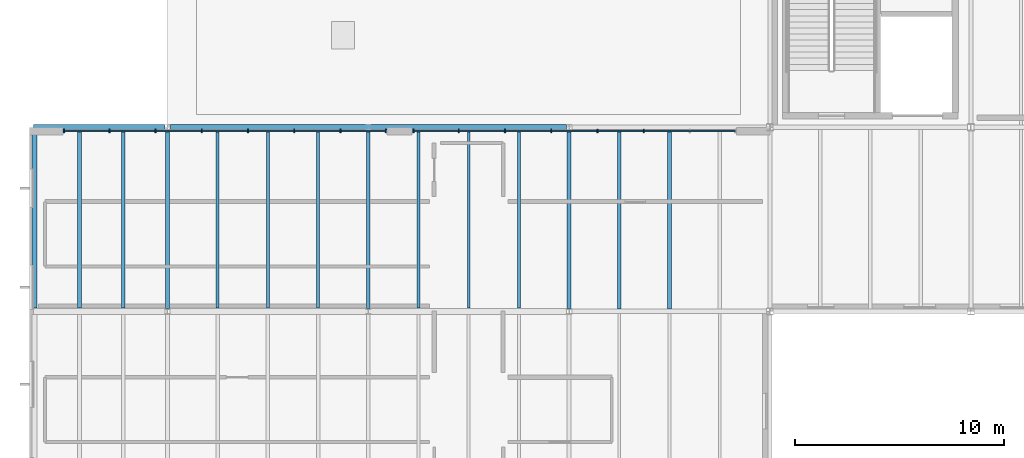
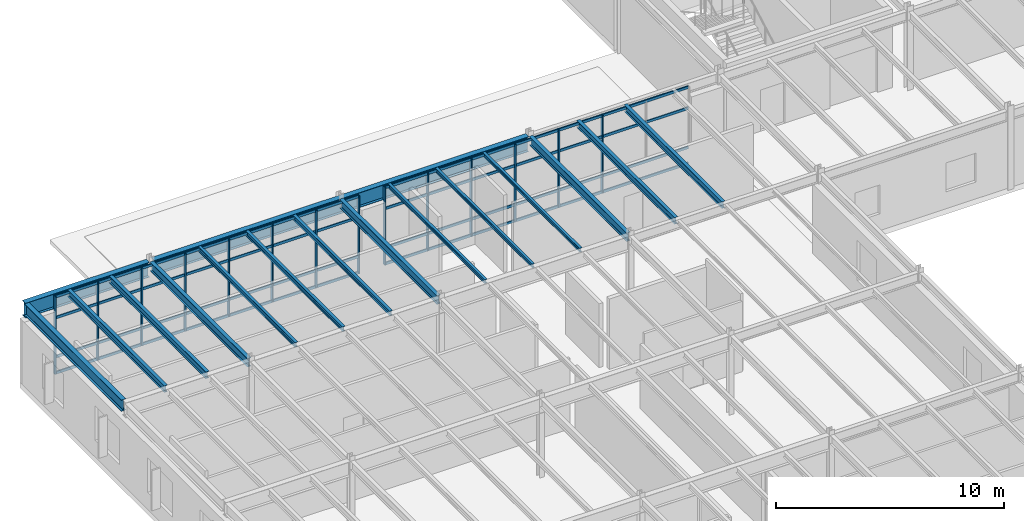
# One storey, part 24 of 69: 22 members, 16 beams, 2 elements without a shape of their own.
"""IFC4 building model written with IfcOpenShell, lengths in metres."""

from ifc_helpers import new_model, si_unit, direction, frame, origin, origin_2d, place, context, subcontext, project, spatial, rectangle, i_section, extrude, material, material_profile, profile_set, type_object, element, aggregate, save


model = new_model("IFC4")

# Units and contexts
model_context = context("Model", 3, precision=1e-05, world=origin(), true_north=direction((0.0, 1.0)))
body_context = subcontext(model_context, "Body", "Model", "MODEL_VIEW")
ifc_project = project(units=[si_unit("LENGTHUNIT", "METRE"), si_unit("AREAUNIT", "SQUARE_METRE"), si_unit("VOLUMEUNIT", "CUBIC_METRE"), si_unit("PLANEANGLEUNIT", "RADIAN"), si_unit("MASSUNIT", "GRAM", prefix="KILO")], contexts=[model_context])

# Site, building, storey
site_placement = place(None, origin())
site = spatial("IfcSite", under=ifc_project, at=site_placement, CompositionType="ELEMENT")
building_placement = place(site_placement, origin())
building = spatial("IfcBuilding", under=site, at=building_placement, Name="Sarnbrook Museum", CompositionType="ELEMENT")
storey_placement = place(building_placement, frame((0.0, 0.0, 14.60009765625)))
storey = spatial("IfcBuildingStorey", under=building, at=storey_placement, Name="L03", CompositionType="ELEMENT", Elevation=14.60009765625)

# Beams
ifc_material_1 = material(Name="Structural Steel Grade 300PLUS (AS/NZS 3679.1, fy = 280 MPa for 17 < t <= 40 mm, 300 MPa for t <= 17 mm)", Category="steel")
ifc_material_profile_1 = material_profile(ifc_material_1, i_section(OverallWidth=0.18994140625, OverallDepth=0.45703125, WebThickness=0.009033203125, FlangeThickness=0.014404296875, FilletRadius=0.011474609375, at=origin_2d()), Name="460UB74.6")
ifc_profile_set_1 = profile_set([ifc_material_profile_1], Name="Structural Steel Grade 300PLUS (AS/NZS 3679.1, fy = 280 MPa for 17 < t <= 40 mm, 300 MPa for t <= 17 mm)")
beam_type_1 = type_object("IfcBeamType", Name="BM-UB460", PredefinedType="BEAM", material=ifc_profile_set_1)
for number, where, z_axis, x_axis, name in (
    (1, (13.60009765625, 74.527099609375, 4.021484375), (0.0, 1.0, 0.0), (-1.0, 0.0, 0.0), "Girder 2:J-K L03"),
    (2, (23.199951171875, 74.527099609375, 4.021484375), (0.0, 1.0, 0.0), (-1.0, 0.0, 0.0), "Girder 3:J-K L03"),
    (3, (32.800048828125, 74.527099609375, 4.021484375), (0.0, 1.0, 0.0), (-1.0, 0.0, 0.0), "Girder 4:J-K L03"),
):
    element("IfcBeam", number, at=place(storey_placement, frame(where, z_axis=z_axis, x_axis=x_axis)), inside=storey, type_object=beam_type_1, Name=name, PredefinedType="BEAM", context=body_context, shape_type="SweptSolid", body=[
        extrude(i_section(OverallWidth=0.18994140625, OverallDepth=0.45703125, WebThickness=0.009033203125, FlangeThickness=0.014404296875, FilletRadius=0.011474609375, at=origin_2d()), origin(), (0.0, 0.0, 1.0), 8.5458984375),
    ])
ifc_material_profile_2 = material_profile(ifc_material_1, i_section(OverallWidth=0.22802734375, OverallDepth=0.60693359375, WebThickness=0.01123046875, FlangeThickness=0.017333984375, FilletRadius=0.013916015625, at=origin_2d()), Name="610UB113")
ifc_profile_set_2 = profile_set([ifc_material_profile_2], Name="Structural Steel Grade 300PLUS (AS/NZS 3679.1, fy = 280 MPa for 17 < t <= 40 mm, 300 MPa for t <= 17 mm)")
beam_type_2 = type_object("IfcBeamType", Name="BM-UB610", PredefinedType="BEAM", material=ifc_profile_set_2)
beam_1_placement = place(storey_placement, frame((7.25, 74.550048828125, 3.9462890625), z_axis=(0.0, 1.0, 0.0), x_axis=(-1.0, 0.0, 0.0)))
element("IfcBeam", 4, at=beam_1_placement, inside=storey, type_object=beam_type_2, Name="Cantilever Gallery Joist L03 X=7.25", PredefinedType="BEAM", context=body_context, shape_type="SweptSolid", body=[
    extrude(i_section(OverallWidth=0.22802734375, OverallDepth=0.60693359375, WebThickness=0.01123046875, FlangeThickness=0.017333984375, FilletRadius=0.013916015625, at=origin_2d()), origin(), (0.0, 0.0, 1.0), 8.5),
])
ifc_material_2 = material(Name="Structural Steel Grade 350L0 (AS/NZS 3678, fy = 340 MPa for 20 < t <= 40 mm)", Category="steel")
ifc_material_profile_3 = material_profile(ifc_material_2, i_section(OverallWidth=0.27490234375, OverallDepth=0.800048828125, WebThickness=0.010009765625, FlangeThickness=0.01611328125, at=origin_2d()), Name="800WB146")
ifc_profile_set_3 = profile_set([ifc_material_profile_3], Name="Structural Steel Grade 350L0 (AS/NZS 3678, fy = 340 MPa for 20 < t <= 40 mm)")
beam_type_3 = type_object("IfcBeamType", Name="CR-CANT", PredefinedType="BEAM", material=ifc_profile_set_3)
beam_2_placement = place(storey_placement, frame((32.679931640625, 83.199951171875, 3.849853515625), z_axis=(-1.0, 0.0, 0.0), x_axis=(0.0, -1.0, 0.0)))
element("IfcBeam", 5, at=beam_2_placement, inside=storey, type_object=beam_type_3, Name="Cantilever Roof Girder TT4 Back-Span L03", PredefinedType="BEAM", context=body_context, shape_type="SweptSolid", body=[
    extrude(i_section(OverallWidth=0.27490234375, OverallDepth=0.800048828125, WebThickness=0.010009765625, FlangeThickness=0.01611328125, at=origin_2d()), origin(), (0.0, 0.0, 1.0), 18.9599609375),
])
beam_3_placement = place(storey_placement, frame((13.47998046875, 83.199951171875, 3.849853515625), z_axis=(-1.0, 0.0, 0.0), x_axis=(0.0, -1.0, 0.0)))
element("IfcBeam", 6, at=beam_3_placement, inside=storey, type_object=beam_type_3, Name="Cantilever Roof Girder TT4 Overhang L03", PredefinedType="BEAM", context=body_context, shape_type="SweptSolid", body=[
    extrude(i_section(OverallWidth=0.27490234375, OverallDepth=0.800048828125, WebThickness=0.010009765625, FlangeThickness=0.01611328125, at=origin_2d()), origin(), (0.0, 0.0, 1.0), 6.280029296875),
])

# Curtain wall, members
ifc_material_3 = material(Name="Thermally Broken Anodised Aluminium 6063-T6", Category="aluminium")
curtain_wall_type = type_object("IfcCurtainWallType", Name="CurtainWall_GalleryRibbon", PredefinedType="NOTDEFINED", material=ifc_material_3)
curtain_wall_1_placement = place(storey_placement, origin())
curtain_wall_1 = element("IfcCurtainWall", 7, at=curtain_wall_1_placement, inside=storey, type_object=curtain_wall_type, Name="Gallery Ribbon Curtain Wall L03-10.1", PredefinedType="NOTDEFINED")
ifc_material_profile_4 = material_profile(ifc_material_3, rectangle(XDim=0.06005859375, YDim=0.159912109375, at=origin_2d()), Name="ALU MULLION 60x160")
ifc_profile_set_4 = profile_set([ifc_material_profile_4], Name="Thermally Broken Anodised Aluminium 6063-T6")
member_type_1 = type_object("IfcMemberType", Name="CW_Mullion_150x65", PredefinedType="MULLION", material=ifc_profile_set_4)
member_1_placement = place(storey_placement, frame((36.36279296875, 83.02001953125, 0.0), z_axis=(0.0, 0.0, 1.0), x_axis=(1.0, 0.0, 0.0)))
member_1 = element("IfcMember", 8, at=member_1_placement, type_object=member_type_1, Name="Gallery Ribbon Curtain Wall L03-10.1 Mullion 3", PredefinedType="MULLION", context=body_context, shape_type="SweptSolid", body=[
    extrude(rectangle(XDim=0.06005859375, YDim=0.159912109375, at=origin_2d()), origin(), (0.0, 0.0, 1.0), 4.159912109375),
])
member_2_placement = place(storey_placement, frame((34.154296875, 83.02001953125, 0.0), z_axis=(0.0, 0.0, 1.0), x_axis=(1.0, 0.0, 0.0)))
member_2 = element("IfcMember", 9, at=member_2_placement, type_object=member_type_1, Name="Gallery Ribbon Curtain Wall L03-10.1 Mullion 4", PredefinedType="MULLION", context=body_context, shape_type="SweptSolid", body=[
    extrude(rectangle(XDim=0.06005859375, YDim=0.159912109375, at=origin_2d()), origin(), (0.0, 0.0, 1.0), 4.159912109375),
])
member_3_placement = place(storey_placement, frame((31.94580078125, 83.02001953125, 0.0), z_axis=(0.0, 0.0, 1.0), x_axis=(1.0, 0.0, 0.0)))
member_3 = element("IfcMember", 10, at=member_3_placement, type_object=member_type_1, Name="Gallery Ribbon Curtain Wall L03-10.1 Mullion 5", PredefinedType="MULLION", context=body_context, shape_type="SweptSolid", body=[
    extrude(rectangle(XDim=0.06005859375, YDim=0.159912109375, at=origin_2d()), origin(), (0.0, 0.0, 1.0), 4.159912109375),
])
member_4_placement = place(storey_placement, frame((29.737060546875, 83.02001953125, 0.0), z_axis=(0.0, 0.0, 1.0), x_axis=(1.0, 0.0, 0.0)))
member_4 = element("IfcMember", 11, at=member_4_placement, type_object=member_type_1, Name="Gallery Ribbon Curtain Wall L03-10.1 Mullion 6", PredefinedType="MULLION", context=body_context, shape_type="SweptSolid", body=[
    extrude(rectangle(XDim=0.06005859375, YDim=0.159912109375, at=origin_2d()), origin(), (0.0, 0.0, 1.0), 4.159912109375),
])
member_5_placement = place(storey_placement, frame((27.528564453125, 83.02001953125, 0.0), z_axis=(0.0, 0.0, 1.0), x_axis=(1.0, 0.0, 0.0)))
member_5 = element("IfcMember", 12, at=member_5_placement, type_object=member_type_1, Name="Gallery Ribbon Curtain Wall L03-10.1 Mullion 7", PredefinedType="MULLION", context=body_context, shape_type="SweptSolid", body=[
    extrude(rectangle(XDim=0.06005859375, YDim=0.159912109375, at=origin_2d()), origin(), (0.0, 0.0, 1.0), 4.159912109375),
])
member_6_placement = place(storey_placement, frame((25.360107421875, 83.02001953125, 0.0), z_axis=(0.0, 0.0, 1.0), x_axis=(1.0, 0.0, 0.0)))
member_6 = element("IfcMember", 13, at=member_6_placement, type_object=member_type_1, Name="Gallery Ribbon Curtain Wall L03-10.1 Mullion 8", PredefinedType="MULLION", context=body_context, shape_type="SweptSolid", body=[
    extrude(rectangle(XDim=0.06005859375, YDim=0.159912109375, at=origin_2d()), origin(), (0.0, 0.0, 1.0), 4.159912109375),
])

curtain_wall_2_placement = place(storey_placement, origin())
curtain_wall_2 = element("IfcCurtainWall", 14, at=curtain_wall_2_placement, inside=storey, type_object=curtain_wall_type, Name="Gallery Ribbon Curtain Wall L03-10.2", PredefinedType="NOTDEFINED")
member_7_placement = place(storey_placement, frame((24.0400390625, 83.02001953125, 0.0), z_axis=(0.0, 0.0, 1.0), x_axis=(1.0, 0.0, 0.0)))
member_7 = element("IfcMember", 15, at=member_7_placement, type_object=member_type_1, Name="Gallery Ribbon Curtain Wall L03-10.2 Mullion 1", PredefinedType="MULLION", context=body_context, shape_type="SweptSolid", body=[
    extrude(rectangle(XDim=0.06005859375, YDim=0.159912109375, at=origin_2d()), origin(), (0.0, 0.0, 1.0), 4.159912109375),
])
member_8_placement = place(storey_placement, frame((21.871337890625, 83.02001953125, 0.0), z_axis=(0.0, 0.0, 1.0), x_axis=(1.0, 0.0, 0.0)))
member_8 = element("IfcMember", 16, at=member_8_placement, type_object=member_type_1, Name="Gallery Ribbon Curtain Wall L03-10.2 Mullion 2", PredefinedType="MULLION", context=body_context, shape_type="SweptSolid", body=[
    extrude(rectangle(XDim=0.06005859375, YDim=0.159912109375, at=origin_2d()), origin(), (0.0, 0.0, 1.0), 4.159912109375),
])
member_9_placement = place(storey_placement, frame((19.662841796875, 83.02001953125, 0.0), z_axis=(0.0, 0.0, 1.0), x_axis=(1.0, 0.0, 0.0)))
member_9 = element("IfcMember", 17, at=member_9_placement, type_object=member_type_1, Name="Gallery Ribbon Curtain Wall L03-10.2 Mullion 3", PredefinedType="MULLION", context=body_context, shape_type="SweptSolid", body=[
    extrude(rectangle(XDim=0.06005859375, YDim=0.159912109375, at=origin_2d()), origin(), (0.0, 0.0, 1.0), 4.159912109375),
])
member_10_placement = place(storey_placement, frame((17.454345703125, 83.02001953125, 0.0), z_axis=(0.0, 0.0, 1.0), x_axis=(1.0, 0.0, 0.0)))
member_10 = element("IfcMember", 18, at=member_10_placement, type_object=member_type_1, Name="Gallery Ribbon Curtain Wall L03-10.2 Mullion 4", PredefinedType="MULLION", context=body_context, shape_type="SweptSolid", body=[
    extrude(rectangle(XDim=0.06005859375, YDim=0.159912109375, at=origin_2d()), origin(), (0.0, 0.0, 1.0), 4.159912109375),
])
member_11_placement = place(storey_placement, frame((15.24560546875, 83.02001953125, 0.0), z_axis=(0.0, 0.0, 1.0), x_axis=(1.0, 0.0, 0.0)))
member_11 = element("IfcMember", 19, at=member_11_placement, type_object=member_type_1, Name="Gallery Ribbon Curtain Wall L03-10.2 Mullion 5", PredefinedType="MULLION", context=body_context, shape_type="SweptSolid", body=[
    extrude(rectangle(XDim=0.06005859375, YDim=0.159912109375, at=origin_2d()), origin(), (0.0, 0.0, 1.0), 4.159912109375),
])
member_12_placement = place(storey_placement, frame((13.037109375, 83.02001953125, 0.0), z_axis=(0.0, 0.0, 1.0), x_axis=(1.0, 0.0, 0.0)))
member_12 = element("IfcMember", 20, at=member_12_placement, type_object=member_type_1, Name="Gallery Ribbon Curtain Wall L03-10.2 Mullion 6", PredefinedType="MULLION", context=body_context, shape_type="SweptSolid", body=[
    extrude(rectangle(XDim=0.06005859375, YDim=0.159912109375, at=origin_2d()), origin(), (0.0, 0.0, 1.0), 4.159912109375),
])
member_13_placement = place(storey_placement, frame((10.82861328125, 83.02001953125, 0.0), z_axis=(0.0, 0.0, 1.0), x_axis=(1.0, 0.0, 0.0)))
member_13 = element("IfcMember", 21, at=member_13_placement, type_object=member_type_1, Name="Gallery Ribbon Curtain Wall L03-10.2 Mullion 7", PredefinedType="MULLION", context=body_context, shape_type="SweptSolid", body=[
    extrude(rectangle(XDim=0.06005859375, YDim=0.159912109375, at=origin_2d()), origin(), (0.0, 0.0, 1.0), 4.159912109375),
])
member_14_placement = place(storey_placement, frame((8.659912109375, 83.02001953125, 0.0), z_axis=(0.0, 0.0, 1.0), x_axis=(1.0, 0.0, 0.0)))
member_14 = element("IfcMember", 22, at=member_14_placement, type_object=member_type_1, Name="Gallery Ribbon Curtain Wall L03-10.2 Mullion 8", PredefinedType="MULLION", context=body_context, shape_type="SweptSolid", body=[
    extrude(rectangle(XDim=0.06005859375, YDim=0.159912109375, at=origin_2d()), origin(), (0.0, 0.0, 1.0), 4.159912109375),
])

# Member
ifc_material_profile_5 = material_profile(ifc_material_3, rectangle(XDim=0.06494140625, YDim=0.139892578125, at=origin_2d()), Name="ALU TRANSOM 65x140")
ifc_profile_set_5 = profile_set([ifc_material_profile_5], Name="Thermally Broken Anodised Aluminium 6063-T6")
member_type_2 = type_object("IfcMemberType", Name="CW_Transom_150x65", PredefinedType="USERDEFINED", material=ifc_profile_set_5)
member_15_placement = place(storey_placement, frame((40.72998046875, 83.02001953125, 0.039794921875), z_axis=(-1.0, 0.0, 0.0), x_axis=(0.0, -1.0, 0.0)))
member_15 = element("IfcMember", 23, at=member_15_placement, type_object=member_type_2, Name="Gallery Ribbon Curtain Wall L03-10.1 Transom 1", ObjectType="TRANSOM", PredefinedType="USERDEFINED", context=body_context, shape_type="SweptSolid", body=[
    extrude(rectangle(XDim=0.06494140625, YDim=0.139892578125, at=origin_2d()), origin(), (0.0, 0.0, 1.0), 15.35986328125),
])

member_16_placement = place(storey_placement, frame((40.72998046875, 83.02001953125, 0.89990234375), z_axis=(-1.0, 0.0, 0.0), x_axis=(0.0, -1.0, 0.0)))
member_16 = element("IfcMember", 24, at=member_16_placement, type_object=member_type_2, Name="Gallery Ribbon Curtain Wall L03-10.1 Transom 2", ObjectType="TRANSOM", PredefinedType="USERDEFINED", context=body_context, shape_type="SweptSolid", body=[
    extrude(rectangle(XDim=0.06494140625, YDim=0.139892578125, at=origin_2d()), origin(), (0.0, 0.0, 1.0), 15.35986328125),
])

member_17_placement = place(storey_placement, frame((40.72998046875, 83.02001953125, 3.0), z_axis=(-1.0, 0.0, 0.0), x_axis=(0.0, -1.0, 0.0)))
member_17 = element("IfcMember", 25, at=member_17_placement, type_object=member_type_2, Name="Gallery Ribbon Curtain Wall L03-10.1 Transom 3", ObjectType="TRANSOM", PredefinedType="USERDEFINED", context=body_context, shape_type="SweptSolid", body=[
    extrude(rectangle(XDim=0.06494140625, YDim=0.139892578125, at=origin_2d()), origin(), (0.0, 0.0, 1.0), 15.35986328125),
])

member_18_placement = place(storey_placement, frame((40.72998046875, 83.02001953125, 4.119873046875), z_axis=(-1.0, 0.0, 0.0), x_axis=(0.0, -1.0, 0.0)))
member_18 = element("IfcMember", 26, at=member_18_placement, type_object=member_type_2, Name="Gallery Ribbon Curtain Wall L03-10.1 Transom 4", ObjectType="TRANSOM", PredefinedType="USERDEFINED", context=body_context, shape_type="SweptSolid", body=[
    extrude(rectangle(XDim=0.06494140625, YDim=0.139892578125, at=origin_2d()), origin(), (0.0, 0.0, 1.0), 15.35986328125),
])

aggregate(curtain_wall_1, [member_1, member_2, member_3, member_4, member_5, member_6, member_15, member_16, member_17, member_18])

member_19_placement = place(storey_placement, frame((24.030029296875, 83.02001953125, 0.039794921875), z_axis=(-1.0, 0.0, 0.0), x_axis=(0.0, -1.0, 0.0)))
member_19 = element("IfcMember", 27, at=member_19_placement, type_object=member_type_2, Name="Gallery Ribbon Curtain Wall L03-10.2 Transom 1", ObjectType="TRANSOM", PredefinedType="USERDEFINED", context=body_context, shape_type="SweptSolid", body=[
    extrude(rectangle(XDim=0.06494140625, YDim=0.139892578125, at=origin_2d()), origin(), (0.0, 0.0, 1.0), 15.360107421875),
])

member_20_placement = place(storey_placement, frame((24.030029296875, 83.02001953125, 0.89990234375), z_axis=(-1.0, 0.0, 0.0), x_axis=(0.0, -1.0, 0.0)))
member_20 = element("IfcMember", 28, at=member_20_placement, type_object=member_type_2, Name="Gallery Ribbon Curtain Wall L03-10.2 Transom 2", ObjectType="TRANSOM", PredefinedType="USERDEFINED", context=body_context, shape_type="SweptSolid", body=[
    extrude(rectangle(XDim=0.06494140625, YDim=0.139892578125, at=origin_2d()), origin(), (0.0, 0.0, 1.0), 15.360107421875),
])

member_21_placement = place(storey_placement, frame((24.030029296875, 83.02001953125, 3.0), z_axis=(-1.0, 0.0, 0.0), x_axis=(0.0, -1.0, 0.0)))
member_21 = element("IfcMember", 29, at=member_21_placement, type_object=member_type_2, Name="Gallery Ribbon Curtain Wall L03-10.2 Transom 3", ObjectType="TRANSOM", PredefinedType="USERDEFINED", context=body_context, shape_type="SweptSolid", body=[
    extrude(rectangle(XDim=0.06494140625, YDim=0.139892578125, at=origin_2d()), origin(), (0.0, 0.0, 1.0), 15.360107421875),
])

member_22_placement = place(storey_placement, frame((24.030029296875, 83.02001953125, 4.119873046875), z_axis=(-1.0, 0.0, 0.0), x_axis=(0.0, -1.0, 0.0)))
member_22 = element("IfcMember", 30, at=member_22_placement, type_object=member_type_2, Name="Gallery Ribbon Curtain Wall L03-10.2 Transom 4", ObjectType="TRANSOM", PredefinedType="USERDEFINED", context=body_context, shape_type="SweptSolid", body=[
    extrude(rectangle(XDim=0.06494140625, YDim=0.139892578125, at=origin_2d()), origin(), (0.0, 0.0, 1.0), 15.360107421875),
])

aggregate(curtain_wall_2, [member_7, member_8, member_9, member_10, member_11, member_12, member_13, member_14, member_19, member_20, member_21, member_22])

# Beams
ifc_material_profile_6 = material_profile(ifc_material_1, i_section(OverallWidth=0.134033203125, OverallDepth=0.20703125, WebThickness=0.00634765625, FlangeThickness=0.009521484375, FilletRadius=0.0087890625, at=origin_2d()), Name="200UB29.8")
ifc_profile_set_6 = profile_set([ifc_material_profile_6], Name="Structural Steel Grade 300PLUS (AS/NZS 3679.1, fy = 280 MPa for 17 < t <= 40 mm, 300 MPa for t <= 17 mm)")
beam_type_4 = type_object("IfcBeamType", Name="JS-UB200", PredefinedType="JOIST", material=ifc_profile_set_6)
for number, where, z_axis, x_axis, name in (
    (31, (25.60009765625, 74.550048828125, 4.146484375), (0.0, 1.0, 0.0), (-1.0, 0.0, 0.0), "Composite Floor Joist 3J-1 L03"),
    (32, (28.0, 74.550048828125, 4.146484375), (0.0, 1.0, 0.0), (-1.0, 0.0, 0.0), "Composite Floor Joist 3J-2 L03"),
    (33, (30.39990234375, 74.550048828125, 4.146484375), (0.0, 1.0, 0.0), (-1.0, 0.0, 0.0), "Composite Floor Joist 3J-3 L03"),
):
    element("IfcBeam", number, at=place(storey_placement, frame(where, z_axis=z_axis, x_axis=x_axis)), inside=storey, type_object=beam_type_4, Name=name, PredefinedType="JOIST", context=body_context, shape_type="SweptSolid", body=[
        extrude(i_section(OverallWidth=0.134033203125, OverallDepth=0.20703125, WebThickness=0.00634765625, FlangeThickness=0.009521484375, FilletRadius=0.0087890625, at=origin_2d()), origin(), (0.0, 0.0, 1.0), 8.5),
    ])
ifc_material_profile_7 = material_profile(ifc_material_1, i_section(OverallWidth=0.14599609375, OverallDepth=0.256103515625, WebThickness=0.00634765625, FlangeThickness=0.010986328125, FilletRadius=0.0087890625, at=origin_2d()), Name="250UB37.3")
ifc_profile_set_7 = profile_set([ifc_material_profile_7], Name="Structural Steel Grade 300PLUS (AS/NZS 3679.1, fy = 280 MPa for 17 < t <= 40 mm, 300 MPa for t <= 17 mm)")
beam_type_5 = type_object("IfcBeamType", Name="JS-UB250", PredefinedType="JOIST", material=ifc_profile_set_7)
for number, where, z_axis, x_axis, name in (
    (34, (16.0, 74.550048828125, 4.121826171875), (0.0, 1.0, 0.0), (-1.0, 0.0, 0.0), "Composite Floor Joist 2J-1 L03"),
    (35, (18.39990234375, 74.550048828125, 4.121826171875), (0.0, 1.0, 0.0), (-1.0, 0.0, 0.0), "Composite Floor Joist 2J-2 L03"),
    (36, (20.800048828125, 74.550048828125, 4.121826171875), (0.0, 1.0, 0.0), (-1.0, 0.0, 0.0), "Composite Floor Joist 2J-3 L03"),
):
    element("IfcBeam", number, at=place(storey_placement, frame(where, z_axis=z_axis, x_axis=x_axis)), inside=storey, type_object=beam_type_5, Name=name, PredefinedType="JOIST", context=body_context, shape_type="SweptSolid", body=[
        extrude(i_section(OverallWidth=0.14599609375, OverallDepth=0.256103515625, WebThickness=0.00634765625, FlangeThickness=0.010986328125, FilletRadius=0.0087890625, at=origin_2d()), origin(), (0.0, 0.0, 1.0), 8.5),
    ])
ifc_material_profile_8 = material_profile(ifc_material_1, i_section(OverallWidth=0.1708984375, OverallDepth=0.35595703125, WebThickness=0.00732421875, FlangeThickness=0.011474609375, FilletRadius=0.011474609375, at=origin_2d()), Name="360UB50.7")
ifc_profile_set_8 = profile_set([ifc_material_profile_8], Name="Structural Steel Grade 300PLUS (AS/NZS 3679.1, fy = 280 MPa for 17 < t <= 40 mm, 300 MPa for t <= 17 mm)")
beam_type_6 = type_object("IfcBeamType", Name="JS-UB360", PredefinedType="JOIST", material=ifc_profile_set_8)
for number, where, z_axis, x_axis, name in (
    (37, (35.199951171875, 74.50439453125, 4.072021484375), (0.0, 1.0, 0.0), (-1.0, 0.0, 0.0), "Composite Floor Joist 4J-1 L03"),
    (38, (37.60009765625, 74.50439453125, 4.072021484375), (0.0, 1.0, 0.0), (-1.0, 0.0, 0.0), "Composite Floor Joist 4J-2 L03"),
):
    element("IfcBeam", number, at=place(storey_placement, frame(where, z_axis=z_axis, x_axis=x_axis)), inside=storey, type_object=beam_type_6, Name=name, PredefinedType="JOIST", context=body_context, shape_type="SweptSolid", body=[
        extrude(i_section(OverallWidth=0.1708984375, OverallDepth=0.35595703125, WebThickness=0.00732421875, FlangeThickness=0.011474609375, FilletRadius=0.011474609375, at=origin_2d()), origin(), (0.0, 0.0, 1.0), 8.591064453125),
    ])
for number, where, z_axis, x_axis, name in (
    (39, (9.39990234375, 74.550048828125, 4.072021484375), (0.0, 1.0, 0.0), (-1.0, 0.0, 0.0), "Cantilever Gallery Joist L03 X=9.4"),
    (40, (11.5, 74.550048828125, 4.072021484375), (0.0, 1.0, 0.0), (-1.0, 0.0, 0.0), "Cantilever Gallery Joist L03 X=11.5"),
):
    element("IfcBeam", number, at=place(storey_placement, frame(where, z_axis=z_axis, x_axis=x_axis)), inside=storey, type_object=beam_type_6, Name=name, PredefinedType="JOIST", context=body_context, shape_type="SweptSolid", body=[
        extrude(i_section(OverallWidth=0.1708984375, OverallDepth=0.35595703125, WebThickness=0.00732421875, FlangeThickness=0.011474609375, FilletRadius=0.011474609375, at=origin_2d()), origin(), (0.0, 0.0, 1.0), 8.5),
    ])

save(model, "model.ifc")
